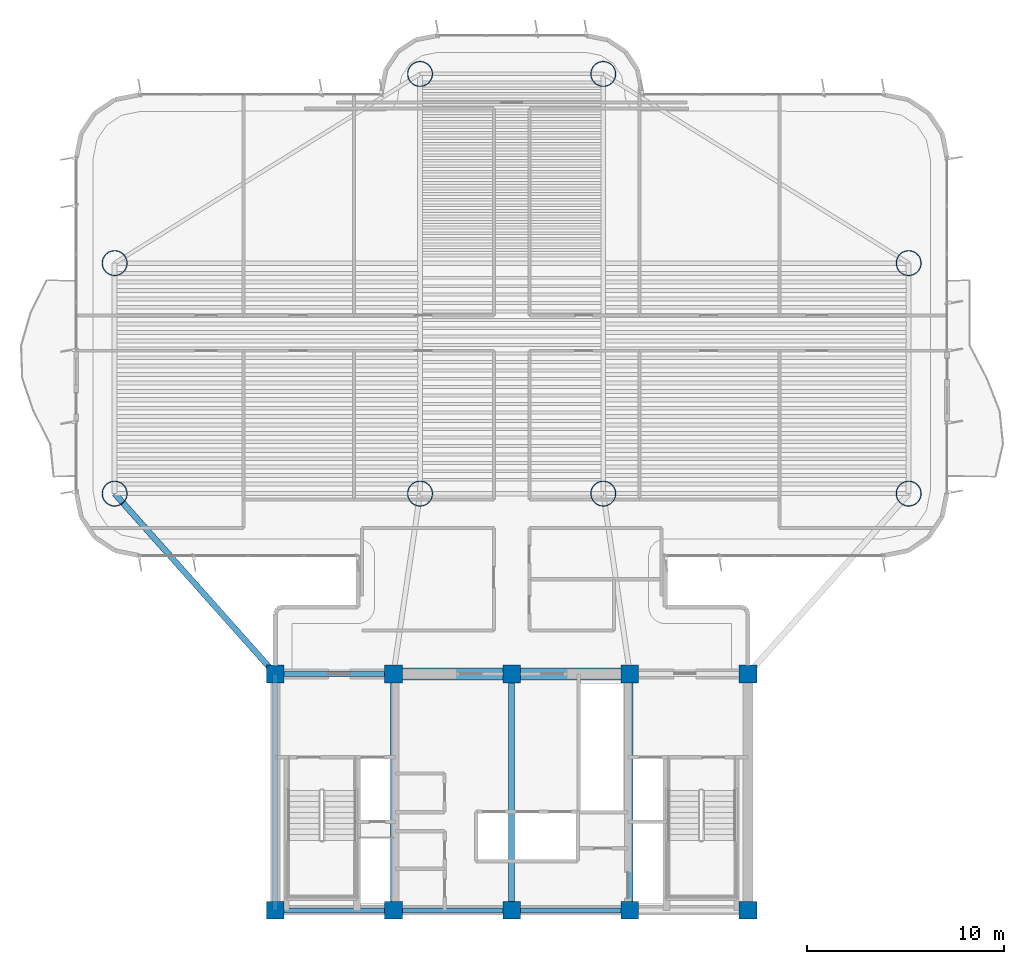
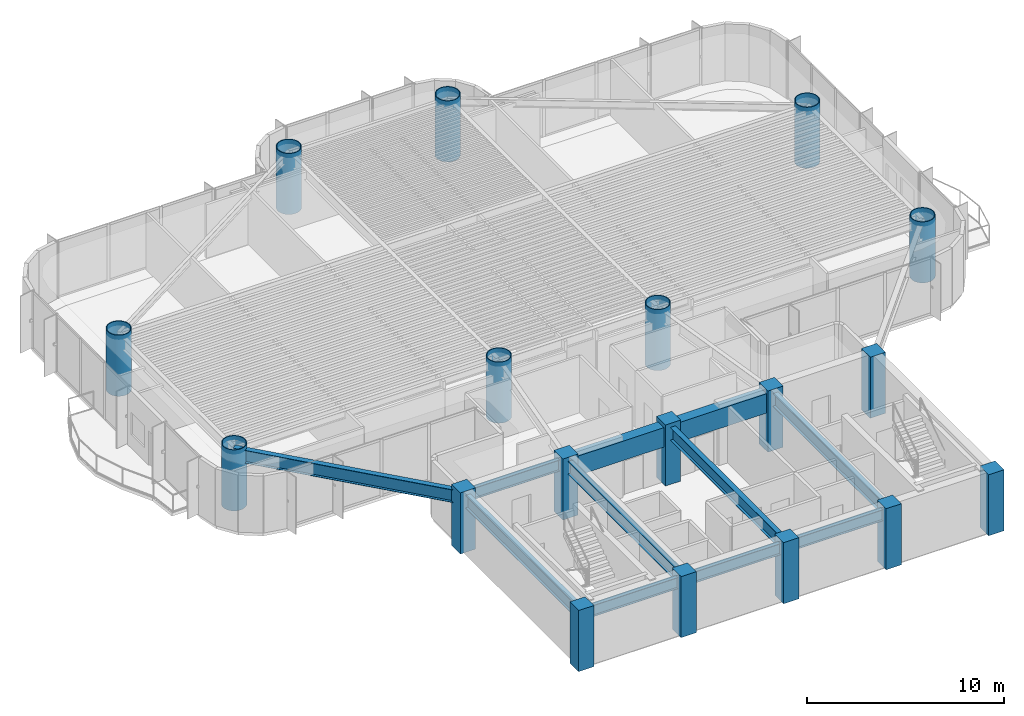
# One storey, part 1 of 16: 18 columns, 10 beams.
"""IFC4 building model written with IfcOpenShell, lengths in metres."""

from ifc_helpers import new_model, si_unit, direction, frame, origin, origin_2d, place, context, subcontext, project, spatial, rectangle, hollow_circle, i_section, extrude, source, transform, mapped, material, material_profile, profile_set, type_object, element, save


model = new_model("IFC4")

# Units and contexts
model_context = context("Model", 3, precision=1e-05, world=origin(), true_north=direction((0.0, 1.0)))
body_context = subcontext(model_context, "Body", "Model", "MODEL_VIEW")
ifc_project = project(units=[si_unit("LENGTHUNIT", "METRE"), si_unit("AREAUNIT", "SQUARE_METRE"), si_unit("VOLUMEUNIT", "CUBIC_METRE"), si_unit("PLANEANGLEUNIT", "RADIAN"), si_unit("MASSUNIT", "GRAM", prefix="KILO")], contexts=[model_context])

# Site, building, storey
site_placement = place(None, origin())
site = spatial("IfcSite", under=ifc_project, at=site_placement, CompositionType="ELEMENT")
building_placement = place(site_placement, origin())
building = spatial("IfcBuilding", under=site, at=building_placement, Name="Brelvock Crest Care Tower", CompositionType="ELEMENT")
storey_placement = place(building_placement, frame((0.0, 0.0, 120.06005859375)))
storey = spatial("IfcBuildingStorey", under=building, at=storey_placement, Name="L30", CompositionType="ELEMENT", Elevation=120.06005859375)

# Columns
ifc_material_1 = material(Name="Concrete S80 (80 MPa)", Category="concrete")
ifc_material_profile_1 = material_profile(ifc_material_1, rectangle(XDim=0.89990234375, YDim=0.89990234375, at=origin_2d()), Name="RC900x900")
ifc_profile_set_1 = profile_set([ifc_material_profile_1], Name="Concrete S80 (80 MPa)")
column_type_1 = type_object("IfcColumnType", Name="COL-RC2", PredefinedType="COLUMN", material=ifc_profile_set_1)
shared_shape_1 = source(origin(), body_context, "Body", "SweptSolid", [
    extrude(rectangle(XDim=0.89990234375, YDim=0.89990234375, at=origin_2d()), origin(), (0.0, 0.0, 1.0), 3.780029296875),
])
for number, where, z_axis, x_axis, name in (
    (1, (24.0, 6.0, 0.0), (0.0, 0.0, 1.0), (1.0, 0.0, 0.0), "L30 Core Column CC-01"),
    (2, (30.0, 6.0, 0.0), (0.0, 0.0, 1.0), (1.0, 0.0, 0.0), "L30 Core Column CC-02"),
    (3, (36.0, 6.0, 0.0), (0.0, 0.0, 1.0), (1.0, 0.0, 0.0), "L30 Core Column CC-03"),
    (4, (42.0, 6.0, 0.0), (0.0, 0.0, 1.0), (1.0, 0.0, 0.0), "L30 Core Column CC-04"),
    (5, (48.0, 6.0, 0.0), (0.0, 0.0, 1.0), (1.0, 0.0, 0.0), "L30 Core Column CC-05"),
    (6, (24.0, 18.0, 0.0), (0.0, 0.0, 1.0), (1.0, 0.0, 0.0), "L30 Core Column CC-06"),
    (7, (30.0, 18.0, 0.0), (0.0, 0.0, 1.0), (1.0, 0.0, 0.0), "L30 Core Column CC-07"),
    (8, (36.0, 18.0, 0.0), (0.0, 0.0, 1.0), (1.0, 0.0, 0.0), "L30 Core Column CC-08"),
    (9, (42.0, 18.0, 0.0), (0.0, 0.0, 1.0), (1.0, 0.0, 0.0), "L30 Core Column CC-09"),
    (10, (48.0, 18.0, 0.0), (0.0, 0.0, 1.0), (1.0, 0.0, 0.0), "L30 Core Column CC-10"),
):
    element("IfcColumn", number, at=place(storey_placement, frame(where, z_axis=z_axis, x_axis=x_axis)), inside=storey, type_object=column_type_1, Name=name, PredefinedType="COLUMN", context=body_context, shape_type="MappedRepresentation", body=[
        mapped(shared_shape_1, transform((0.0, 0.0, 0.0), x_axis=(1.0, 0.0, 0.0), y_axis=(0.0, 1.0, 0.0), z_axis=(0.0, 0.0, 1.0), scale=1.0)),
    ])
ifc_material_2 = material(Name="Steel Grade 350", Category="steel")
ifc_material_profile_2 = material_profile(ifc_material_2, hollow_circle(Radius=0.64990234375, WallThickness=0.044921875, at=origin_2d()), Name="CFT1300x45")
ifc_profile_set_2 = profile_set([ifc_material_profile_2], Name="Steel Grade 350")
column_type_2 = type_object("IfcColumnType", Name="COL-MC2", PredefinedType="COLUMN", material=ifc_profile_set_2)
shared_shape_2 = source(origin(), body_context, "Body", "SweptSolid", [
    extrude(hollow_circle(Radius=0.64990234375, WallThickness=0.044921875, at=origin_2d()), origin(), (0.0, 0.0, 1.0), 3.780029296875),
])
for number, where, z_axis, x_axis, name in (
    (11, (15.85009765625, 27.14990234375, 0.0), (0.0, 0.0, 1.0), (1.0, 0.0, 0.0), "L30 Tower Column M1"),
    (12, (15.85009765625, 38.85009765625, 0.0), (0.0, 0.0, 1.0), (1.0, 0.0, 0.0), "L30 Tower Column M2"),
    (13, (56.14990234375, 27.14990234375, 0.0), (0.0, 0.0, 1.0), (1.0, 0.0, 0.0), "L30 Tower Column M3"),
    (14, (56.14990234375, 38.85009765625, 0.0), (0.0, 0.0, 1.0), (1.0, 0.0, 0.0), "L30 Tower Column M4"),
    (15, (31.35009765625, 27.14990234375, 0.0), (0.0, 0.0, 1.0), (1.0, 0.0, 0.0), "L30 Tower Column M5"),
    (16, (40.64990234375, 27.14990234375, 0.0), (0.0, 0.0, 1.0), (1.0, 0.0, 0.0), "L30 Tower Column M6"),
    (17, (31.35009765625, 48.449951171875, 0.0), (0.0, 0.0, 1.0), (1.0, 0.0, 0.0), "L30 Tower Column M7"),
    (18, (40.64990234375, 48.449951171875, 0.0), (0.0, 0.0, 1.0), (1.0, 0.0, 0.0), "L30 Tower Column M8"),
):
    element("IfcColumn", number, at=place(storey_placement, frame(where, z_axis=z_axis, x_axis=x_axis)), inside=storey, type_object=column_type_2, Name=name, PredefinedType="COLUMN", context=body_context, shape_type="MappedRepresentation", body=[
        mapped(shared_shape_2, transform((0.0, 0.0, 0.0), x_axis=(1.0, 0.0, 0.0), y_axis=(0.0, 1.0, 0.0), z_axis=(0.0, 0.0, 1.0), scale=1.0)),
    ])

# Beams
ifc_material_profile_3 = material_profile(ifc_material_1, rectangle(XDim=0.60009765625, YDim=1.199951171875, at=origin_2d()), Name="RC600x1200")
ifc_profile_set_3 = profile_set([ifc_material_profile_3], Name="Concrete S80 (80 MPa)")
beam_type_1 = type_object("IfcBeamType", Name="BM-LN1", PredefinedType="LINTEL", material=ifc_profile_set_3)
shared_shape_3 = source(origin(), body_context, "Body", "SweptSolid", [
    extrude(rectangle(XDim=0.60009765625, YDim=1.199951171875, at=origin_2d()), origin(), (0.0, 0.0, 1.0), 12.0),
])
beam_1_placement = place(storey_placement, frame((30.0, 18.0, 2.929931640625), z_axis=(1.0, 0.0, 0.0), x_axis=(0.0, 1.0, 0.0)))
element("IfcBeam", 19, at=beam_1_placement, inside=storey, type_object=beam_type_1, Name="L30 Core Coupling Lintel Beam", PredefinedType="LINTEL", context=body_context, shape_type="MappedRepresentation", body=[
    mapped(shared_shape_3, transform((0.0, 0.0, 0.0), x_axis=(1.0, 0.0, 0.0), y_axis=(0.0, 1.0, 0.0), z_axis=(0.0, 0.0, 1.0), scale=1.0)),
])
ifc_material_profile_4 = material_profile(ifc_material_2, i_section(OverallWidth=0.25, OverallDepth=0.699951171875, WebThickness=0.011962890625, FlangeThickness=0.02001953125, at=origin_2d()), Name="700WB150")
ifc_profile_set_4 = profile_set([ifc_material_profile_4], Name="Steel Grade 350")
beam_type_2 = type_object("IfcBeamType", Name="BM-G4", PredefinedType="BEAM", material=ifc_profile_set_4)
shared_shape_4 = source(origin(), body_context, "Body", "SweptSolid", [
    extrude(i_section(OverallWidth=0.25, OverallDepth=0.699951171875, WebThickness=0.011962890625, FlangeThickness=0.02001953125, at=origin_2d()), origin(), (0.0, 0.0, 1.0), 6.0),
])
for number, where, z_axis, x_axis, name in (
    (20, (24.0, 6.0, 3.179931640625), (1.0, 0.0, 0.0), (0.0, 1.0, 0.0), "BM-CORES-L30-1"),
    (21, (24.0, 18.0, 3.179931640625), (1.0, 0.0, 0.0), (0.0, 1.0, 0.0), "BM-COREN-L30-1"),
    (22, (30.0, 6.0, 3.179931640625), (1.0, 0.0, 0.0), (0.0, 1.0, 0.0), "BM-CORES-L30-2"),
    (23, (36.0, 6.0, 3.179931640625), (1.0, 0.0, 0.0), (0.0, 1.0, 0.0), "BM-CORES-L30-3"),
):
    element("IfcBeam", number, at=place(storey_placement, frame(where, z_axis=z_axis, x_axis=x_axis)), inside=storey, type_object=beam_type_2, Name=name, PredefinedType="BEAM", context=body_context, shape_type="MappedRepresentation", body=[
        mapped(shared_shape_4, transform((0.0, 0.0, 0.0), x_axis=(1.0, 0.0, 0.0), y_axis=(0.0, 1.0, 0.0), z_axis=(0.0, 0.0, 1.0), scale=1.0)),
    ])
ifc_material_profile_5 = material_profile(ifc_material_2, i_section(OverallWidth=0.300048828125, OverallDepth=0.800048828125, WebThickness=0.013916015625, FlangeThickness=0.02197265625, at=origin_2d()), Name="800WB192")
ifc_profile_set_5 = profile_set([ifc_material_profile_5], Name="Steel Grade 350")
beam_type_3 = type_object("IfcBeamType", Name="BM-G5", PredefinedType="BEAM", material=ifc_profile_set_5)
shared_shape_5 = source(origin(), body_context, "Body", "SweptSolid", [
    extrude(i_section(OverallWidth=0.300048828125, OverallDepth=0.800048828125, WebThickness=0.013916015625, FlangeThickness=0.02197265625, at=origin_2d()), origin(), (0.0, 0.0, 1.0), 12.0),
])
for number, where, z_axis, x_axis, name in (
    (24, (24.0, 6.0, 3.1298828125), (0.0, 1.0, 0.0), (-1.0, 0.0, 0.0), "BM-COREX-L30-1"),
    (25, (30.0, 6.0, 3.1298828125), (0.0, 1.0, 0.0), (-1.0, 0.0, 0.0), "BM-COREX-L30-2"),
    (26, (36.0, 6.0, 3.1298828125), (0.0, 1.0, 0.0), (-1.0, 0.0, 0.0), "BM-COREX-L30-3"),
    (27, (42.0, 6.0, 3.1298828125), (0.0, 1.0, 0.0), (-1.0, 0.0, 0.0), "BM-COREX-L30-4"),
):
    element("IfcBeam", number, at=place(storey_placement, frame(where, z_axis=z_axis, x_axis=x_axis)), inside=storey, type_object=beam_type_3, Name=name, PredefinedType="BEAM", context=body_context, shape_type="MappedRepresentation", body=[
        mapped(shared_shape_5, transform((0.0, 0.0, 0.0), x_axis=(1.0, 0.0, 0.0), y_axis=(0.0, 1.0, 0.0), z_axis=(0.0, 0.0, 1.0), scale=1.0)),
    ])
shared_shape_6 = source(origin(), body_context, "Body", "SweptSolid", [
    extrude(i_section(OverallWidth=0.300048828125, OverallDepth=0.800048828125, WebThickness=0.013916015625, FlangeThickness=0.02197265625, at=origin_2d()), origin(), (0.0, 0.0, 1.0), 12.253173828125),
])
beam_2_placement = place(storey_placement, frame((24.0, 18.0, 3.1298828125), z_axis=(-0.665122829149, 0.746733970129, 0.0), x_axis=(-0.746733970129, -0.665122829149, 0.0)))
element("IfcBeam", 28, at=beam_2_placement, inside=storey, type_object=beam_type_3, Name="BM-THRO-W-L30", PredefinedType="BEAM", context=body_context, shape_type="MappedRepresentation", body=[
    mapped(shared_shape_6, transform((0.0, 0.0, 0.0), x_axis=(1.0, 0.0, 0.0), y_axis=(0.0, 1.0, 0.0), z_axis=(0.0, 0.0, 1.0), scale=1.0)),
])

save(model, "model.ifc")
